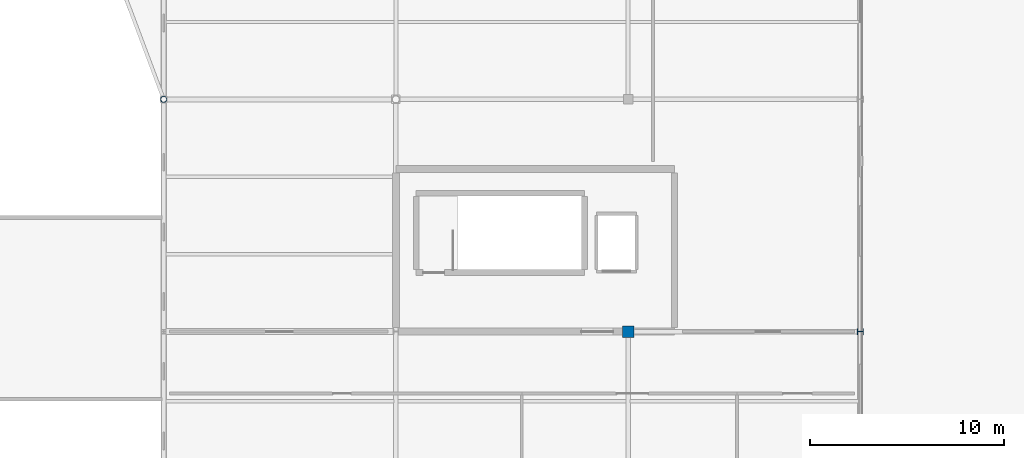
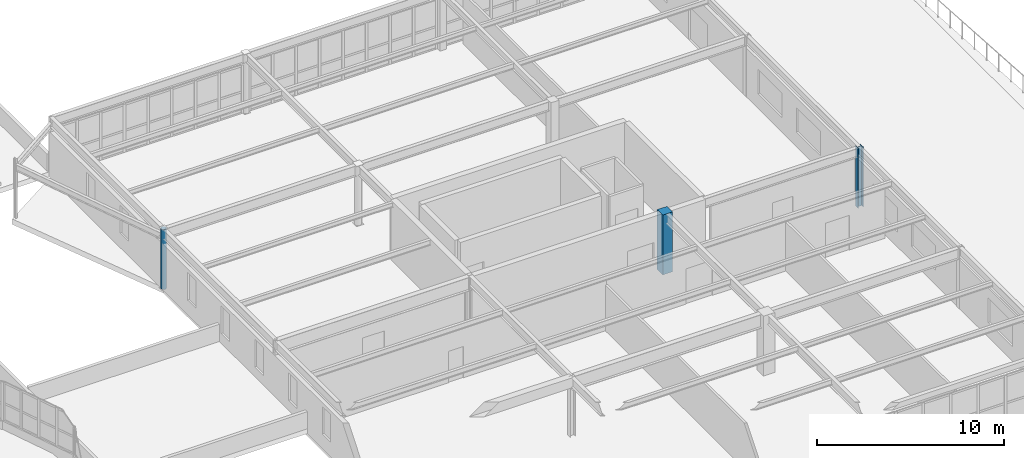
# One storey, part 18 of 128: 3 columns.
"""IFC4 building model written with IfcOpenShell, lengths in metres."""

from ifc_helpers import new_model, si_unit, direction, frame, origin, origin_2d, place, context, subcontext, project, spatial, rectangle, hollow_circle, i_section, extrude, material, material_profile, profile_set, type_object, element, save


model = new_model("IFC4")

# Units and contexts
model_context = context("Model", 3, precision=1e-05, world=origin(), true_north=direction((0.0, 1.0)))
body_context = subcontext(model_context, "Body", "Model", "MODEL_VIEW")
ifc_project = project(units=[si_unit("LENGTHUNIT", "METRE"), si_unit("AREAUNIT", "SQUARE_METRE"), si_unit("VOLUMEUNIT", "CUBIC_METRE"), si_unit("PLANEANGLEUNIT", "RADIAN"), si_unit("MASSUNIT", "GRAM", prefix="KILO")], contexts=[model_context])

# Site, building, storey
site_placement = place(None, origin())
site = spatial("IfcSite", under=ifc_project, at=site_placement, CompositionType="ELEMENT")
building_placement = place(site_placement, origin())
building = spatial("IfcBuilding", under=site, at=building_placement, Name="Tarnwether General Hospital", CompositionType="ELEMENT")
storey_placement = place(building_placement, frame((0.0, 0.0, 14.39990234375)))
storey = spatial("IfcBuildingStorey", under=building, at=storey_placement, Name="L03", CompositionType="ELEMENT", Elevation=14.39990234375)

# Columns
ifc_material_1 = material(Name="Steel Grade 350 (350 MPa)", Category="steel")
ifc_material_profile_1 = material_profile(ifc_material_1, i_section(OverallWidth=0.30908203125, OverallDepth=0.321044921875, WebThickness=0.013916015625, FlangeThickness=0.021728515625, at=origin_2d()), Name="310UC137")
ifc_profile_set_1 = profile_set([ifc_material_profile_1], Name="Steel Grade 350 (350 MPa)")
column_type_1 = type_object("IfcColumnType", Name="COL-06", PredefinedType="COLUMN", material=ifc_profile_set_1)
column_1_placement = place(storey_placement, frame((180.0, 21.60009765625, 0.0), z_axis=(0.0, 0.0, 1.0), x_axis=(0.0, 1.0, 0.0)))
element("IfcColumn", 1, at=column_1_placement, inside=storey, type_object=column_type_1, Name="Column COLG-L03-18000_2160", PredefinedType="COLUMN", context=body_context, shape_type="SweptSolid", body=[
    extrude(i_section(OverallWidth=0.30908203125, OverallDepth=0.321044921875, WebThickness=0.013916015625, FlangeThickness=0.021728515625, at=origin_2d()), origin(), (0.0, 0.0, 1.0), 3.900146484375),
])
ifc_material_2 = material(Name="Concrete 50 MPa", Category="concrete")
ifc_material_profile_2 = material_profile(ifc_material_2, rectangle(XDim=0.60009765625, YDim=0.60009765625, at=origin_2d()), Name="RC-COL-600x600")
ifc_profile_set_2 = profile_set([ifc_material_profile_2], Name="Concrete 50 MPa")
column_type_2 = type_object("IfcColumnType", Name="COL-19", PredefinedType="COLUMN", material=ifc_profile_set_2)
column_2_placement = place(storey_placement, frame((168.0, 21.60009765625, 0.0), z_axis=(0.0, 0.0, 1.0), x_axis=(1.0, 0.0, 0.0)))
element("IfcColumn", 2, at=column_2_placement, inside=storey, type_object=column_type_2, Name="Column COLG-L03-16800_2160", PredefinedType="COLUMN", context=body_context, shape_type="SweptSolid", body=[
    extrude(rectangle(XDim=0.60009765625, YDim=0.60009765625, at=origin_2d()), origin(), (0.0, 0.0, 1.0), 3.900146484375),
])
ifc_material_3 = material(Name="Steel Grade C350L0 (350 MPa)", Category="steel")
ifc_material_profile_3 = material_profile(ifc_material_3, hollow_circle(Radius=0.161865234375, WallThickness=0.0126953125, at=origin_2d()), Name="CHS323.9x12.7")
ifc_profile_set_3 = profile_set([ifc_material_profile_3], Name="Steel Grade C350L0 (350 MPa)")
column_type_3 = type_object("IfcColumnType", Name="COL-26", PredefinedType="COLUMN", material=ifc_profile_set_3)
column_3_placement = place(storey_placement, frame((144.0, 33.60009765625, 0.0), z_axis=(0.0, 0.0, 1.0), x_axis=(1.0, 0.0, 0.0)))
element("IfcColumn", 3, at=column_3_placement, inside=storey, type_object=column_type_3, Name="Column COLG-L03-14400_3360", PredefinedType="COLUMN", context=body_context, shape_type="SweptSolid", body=[
    extrude(hollow_circle(Radius=0.161865234375, WallThickness=0.0126953125, at=origin_2d()), origin(), (0.0, 0.0, 1.0), 3.900146484375),
])

save(model, "model.ifc")
